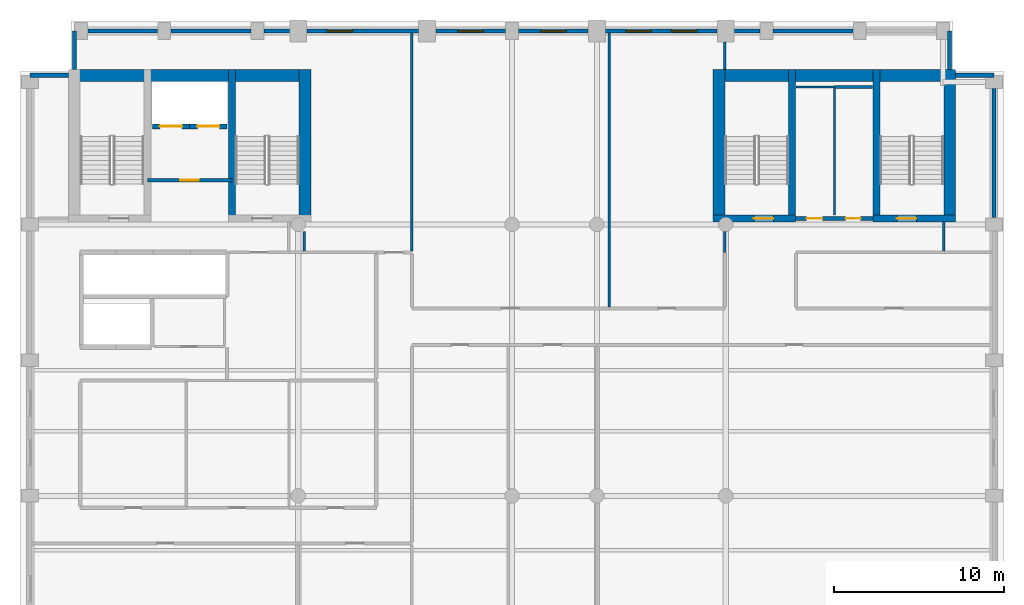
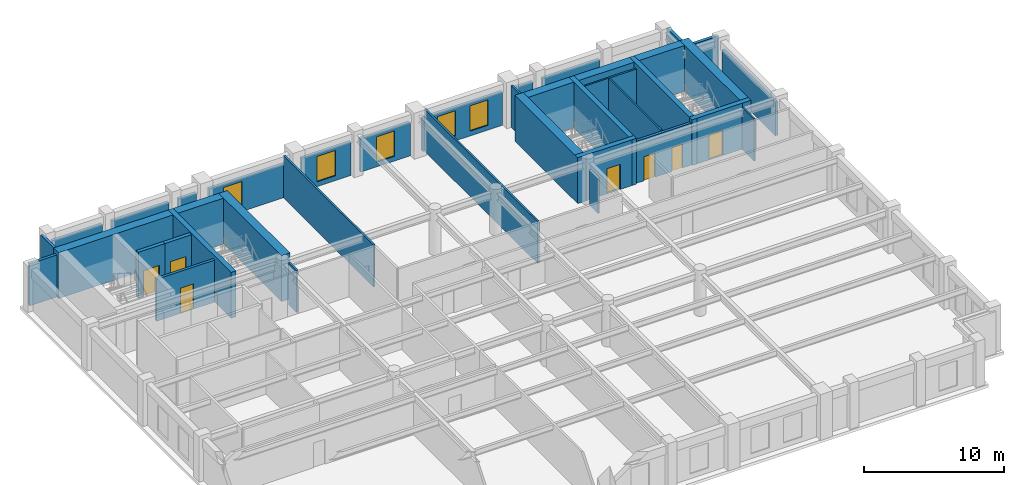
# One storey, part 5 of 8: 37 walls, 7 doors, 5 windows, 12 openings.
"""IFC4 building model written with IfcOpenShell, lengths in metres."""

from ifc_helpers import new_model, si_unit, direction, frame, frame_2d, origin, place, context, subcontext, project, spatial, rectangle, extrude, material, layer, layer_set, type_object, element, fill, save


model = new_model("IFC4")

# Units and contexts
model_context = context("Model", 3, precision=1e-05, world=origin(), true_north=direction((0.0, 1.0)))
body_context = subcontext(model_context, "Body", "Model", "MODEL_VIEW")
ifc_project = project(units=[si_unit("LENGTHUNIT", "METRE"), si_unit("AREAUNIT", "SQUARE_METRE"), si_unit("VOLUMEUNIT", "CUBIC_METRE"), si_unit("PLANEANGLEUNIT", "RADIAN"), si_unit("MASSUNIT", "GRAM", prefix="KILO")], contexts=[model_context])

# Site, building, storey
site_placement = place(None, origin())
site = spatial("IfcSite", under=ifc_project, at=site_placement, CompositionType="ELEMENT")
building_placement = place(site_placement, origin())
building = spatial("IfcBuilding", under=site, at=building_placement, Name="Sulina Concourse Tower", CompositionType="ELEMENT")
storey_placement = place(building_placement, frame((0.0, 0.0, 234.60009765625)))
storey = spatial("IfcBuildingStorey", under=building, at=storey_placement, Name="L57", CompositionType="ELEMENT", Elevation=234.60009765625)

# Wall, opening, door
ifc_material_1 = material(Name="Concrete C50/60", Category="concrete")
ifc_layer_1 = layer(ifc_material_1, 0.300048828125)
ifc_layer_set_1 = layer_set([ifc_layer_1], Name="Concrete C50/60")
wall_type_1 = type_object("IfcWallType", Name="Core Lift Hoistway Wall 300mm", PredefinedType="SOLIDWALL", material=ifc_layer_set_1)
wall_1_placement = place(storey_placement, frame((10.0, 39.780029296875, 0.0), z_axis=(0.0, 0.0, 1.0), x_axis=(-1.0, 0.0, 0.0)))
wall_1 = element("IfcWall", 1, at=wall_1_placement, inside=storey, type_object=wall_type_1, Name="L57 hoistway enclosure wall FFL-1", PredefinedType="SOLIDWALL", context=body_context, shape_type="SweptSolid", body=[
    extrude(rectangle(XDim=2.199951171875, YDim=0.300048828125, at=frame_2d((1.10009765625, 0.0))), origin(), (0.0, 0.0, 1.0), 4.0),
])
opening_1_placement = place(wall_1_placement, frame((0.449951171875, 0.0, 0.0)))
opening_1 = element("IfcOpeningElement", 2, at=opening_1_placement, cuts=wall_1, Name="Opening LD-02", PredefinedType="OPENING", context=body_context, shape_type="SweptSolid", body=[
    extrude(rectangle(XDim=1.300048828125, YDim=2.25, at=frame_2d((0.64990234375, 1.125))), frame((0.0, 0.159912109375, 0.0), z_axis=(0.0, -1.0, 0.0), x_axis=(1.0, 0.0, 0.0)), (0.0, 0.0, 1.0), 0.320068359375),
])
ifc_material_2 = material(Name="Stainless steel lift landing door", Category="steel")
ifc_layer_2 = layer(ifc_material_2, 0.050048828125)
ifc_layer_set_2 = layer_set([ifc_layer_2], Name="Stainless steel lift landing door")
door_type_1 = type_object("IfcDoorType", Name="Firefighting Lift Sliding Landing Door 1300x2250", OperationType="SLIDING_TO_RIGHT", PredefinedType="DOOR", material=ifc_layer_set_2)
door_1_placement = place(opening_1_placement, origin())
door_1 = element("IfcDoor", 3, at=door_1_placement, inside=storey, type_object=door_type_1, Name="L57 lift landing sliding door FFL-1", OperationType="SLIDING_TO_LEFT", OverallHeight=2.25, OverallWidth=1.300048828125, PredefinedType="DOOR", context=body_context, shape_type="SweptSolid", body=[
    extrude(rectangle(XDim=1.300048828125, YDim=2.25, at=frame_2d((0.64990234375, 1.125))), frame((0.0, 0.02490234375, 0.0), z_axis=(0.0, -1.0, 0.0), x_axis=(1.0, 0.0, 0.0)), (0.0, 0.0, 1.0), 0.050048828125),
])
fill(opening_1, door_1)

wall_2_placement = place(storey_placement, frame((12.199951171875, 39.780029296875, 0.0), z_axis=(0.0, 0.0, 1.0), x_axis=(-1.0, 0.0, 0.0)))
wall_2 = element("IfcWall", 4, at=wall_2_placement, inside=storey, type_object=wall_type_1, Name="L57 hoistway enclosure wall FFL-2", PredefinedType="SOLIDWALL", context=body_context, shape_type="SweptSolid", body=[
    extrude(rectangle(XDim=2.199951171875, YDim=0.300048828125, at=frame_2d((1.10009765625, 0.0))), origin(), (0.0, 0.0, 1.0), 4.0),
])
opening_2_placement = place(wall_2_placement, frame((0.449951171875, 0.0, 0.0)))
opening_2 = element("IfcOpeningElement", 5, at=opening_2_placement, cuts=wall_2, Name="Opening LD-02", PredefinedType="OPENING", context=body_context, shape_type="SweptSolid", body=[
    extrude(rectangle(XDim=1.300048828125, YDim=2.25, at=frame_2d((0.64990234375, 1.125))), frame((0.0, 0.159912109375, 0.0), z_axis=(0.0, -1.0, 0.0), x_axis=(1.0, 0.0, 0.0)), (0.0, 0.0, 1.0), 0.320068359375),
])
door_2_placement = place(opening_2_placement, origin())
door_2 = element("IfcDoor", 6, at=door_2_placement, inside=storey, type_object=door_type_1, Name="L57 lift landing sliding door FFL-2", OperationType="SLIDING_TO_RIGHT", OverallHeight=2.25, OverallWidth=1.300048828125, PredefinedType="DOOR", context=body_context, shape_type="SweptSolid", body=[
    extrude(rectangle(XDim=1.300048828125, YDim=2.25, at=frame_2d((0.64990234375, 1.125))), frame((0.0, 0.02490234375, 0.0), z_axis=(0.0, -1.0, 0.0), x_axis=(1.0, 0.0, 0.0)), (0.0, 0.0, 1.0), 0.050048828125),
])
fill(opening_2, door_2)

# Walls
ifc_material_3 = material(Name="Precast concrete C50/60", Category="concrete")
ifc_layer_3 = layer(ifc_material_3, 0.239990234375)
ifc_layer_set_3 = layer_set([ifc_layer_3], Name="Precast concrete C50/60")
wall_type_2 = type_object("IfcWallType", Name="Crown Precast Masonry-Frame Facade Wall 240mm", PredefinedType="SOLIDWALL", material=ifc_layer_set_3)
wall_3_placement = place(storey_placement, frame((3.9951171875, 45.39990234375, 0.0), z_axis=(0.0, 0.0, 1.0), x_axis=(1.0, 0.0, 0.0)))
element("IfcWall", 7, at=wall_3_placement, inside=storey, type_object=wall_type_2, Name="L57 exterior precast wall N1", PredefinedType="SOLIDWALL", context=body_context, shape_type="SweptSolid", body=[
    extrude(rectangle(XDim=4.10986328125, YDim=0.239990234375, at=frame_2d((2.054931640625, 0.0))), origin(), (0.0, 0.0, 1.0), 2.909912109375),
])
wall_4_placement = place(storey_placement, frame((8.89501953125, 45.39990234375, 0.0), z_axis=(0.0, 0.0, 1.0), x_axis=(1.0, 0.0, 0.0)))
element("IfcWall", 8, at=wall_4_placement, inside=storey, type_object=wall_type_2, Name="L57 exterior precast wall N2", PredefinedType="SOLIDWALL", context=body_context, shape_type="SweptSolid", body=[
    extrude(rectangle(XDim=4.7099609375, YDim=0.239990234375, at=frame_2d((2.35498046875, 0.0))), origin(), (0.0, 0.0, 1.0), 2.909912109375),
])
wall_5_placement = place(storey_placement, frame((14.39501953125, 45.39990234375, 0.0), z_axis=(0.0, 0.0, 1.0), x_axis=(1.0, 0.0, 0.0)))
element("IfcWall", 9, at=wall_5_placement, inside=storey, type_object=wall_type_2, Name="L57 exterior precast wall N3", PredefinedType="SOLIDWALL", context=body_context, shape_type="SweptSolid", body=[
    extrude(rectangle(XDim=1.48486328125, YDim=0.239990234375, at=frame_2d((0.742431640625, 0.0))), origin(), (0.0, 0.0, 1.0), 2.909912109375),
])

# Wall, opening, window
wall_6_placement = place(storey_placement, frame((16.919921875, 45.39990234375, 0.0), z_axis=(0.0, 0.0, 1.0), x_axis=(1.0, 0.0, 0.0)))
wall_6 = element("IfcWall", 10, at=wall_6_placement, inside=storey, type_object=wall_type_2, Name="L57 exterior precast wall N4", PredefinedType="SOLIDWALL", context=body_context, shape_type="SweptSolid", body=[
    extrude(rectangle(XDim=6.56005859375, YDim=0.239990234375, at=frame_2d((3.280029296875, 0.0))), origin(), (0.0, 0.0, 1.0), 2.909912109375),
])
opening_3_placement = place(wall_6_placement, frame((1.186767578125, 0.0, 0.419921875)))
opening_3 = element("IfcOpeningElement", 11, at=opening_3_placement, cuts=wall_6, Name="Opening WN-71", PredefinedType="OPENING", context=body_context, shape_type="SweptSolid", body=[
    extrude(rectangle(XDim=1.5, YDim=2.199951171875, at=frame_2d((0.75, 1.10009765625))), frame((0.0, 0.1298828125, 0.0), z_axis=(0.0, -1.0, 0.0), x_axis=(1.0, 0.0, 0.0)), (0.0, 0.0, 1.0), 0.260009765625),
])
ifc_material_4 = material(Name="Low-E solar double glazing in bronze aluminium", Category="aluminium")
window_type = type_object("IfcWindowType", Name="Punched Masonry-Frame Window 1500x2200", PartitioningType="SINGLE_PANEL", PredefinedType="WINDOW", material=ifc_material_4)
window_1_placement = place(opening_3_placement, origin())
window_1 = element("IfcWindow", 12, at=window_1_placement, inside=storey, type_object=window_type, Name="L57 punched window N4-1", OverallHeight=2.199951171875, OverallWidth=1.5, PartitioningType="SINGLE_PANEL", PredefinedType="WINDOW", context=body_context, shape_type="SweptSolid", body=[
    extrude(rectangle(XDim=1.5, YDim=2.199951171875, at=frame_2d((0.75, 1.10009765625))), frame((0.0, 0.030029296875, 0.0), z_axis=(0.0, -1.0, 0.0), x_axis=(1.0, 0.0, 0.0)), (0.0, 0.0, 1.0), 0.06005859375),
])
fill(opening_3, window_1)

wall_7_placement = place(storey_placement, frame((24.52001953125, 45.39990234375, 0.0), z_axis=(0.0, 0.0, 1.0), x_axis=(1.0, 0.0, 0.0)))
wall_7 = element("IfcWall", 13, at=wall_7_placement, inside=storey, type_object=wall_type_2, Name="L57 exterior precast wall N5", PredefinedType="SOLIDWALL", context=body_context, shape_type="SweptSolid", body=[
    extrude(rectangle(XDim=4.0849609375, YDim=0.239990234375, at=frame_2d((2.04248046875, 0.0))), origin(), (0.0, 0.0, 1.0), 2.909912109375),
])
opening_4_placement = place(wall_7_placement, frame((1.29248046875, 0.0, 0.419921875)))
opening_4 = element("IfcOpeningElement", 14, at=opening_4_placement, cuts=wall_7, Name="Opening WN-71", PredefinedType="OPENING", context=body_context, shape_type="SweptSolid", body=[
    extrude(rectangle(XDim=1.5, YDim=2.199951171875, at=frame_2d((0.75, 1.10009765625))), frame((0.0, 0.1298828125, 0.0), z_axis=(0.0, -1.0, 0.0), x_axis=(1.0, 0.0, 0.0)), (0.0, 0.0, 1.0), 0.260009765625),
])
window_2_placement = place(opening_4_placement, origin())
window_2 = element("IfcWindow", 15, at=window_2_placement, inside=storey, type_object=window_type, Name="L57 punched window N5-1", OverallHeight=2.199951171875, OverallWidth=1.5, PartitioningType="SINGLE_PANEL", PredefinedType="WINDOW", context=body_context, shape_type="SweptSolid", body=[
    extrude(rectangle(XDim=1.5, YDim=2.199951171875, at=frame_2d((0.75, 1.10009765625))), frame((0.0, 0.030029296875, 0.0), z_axis=(0.0, -1.0, 0.0), x_axis=(1.0, 0.0, 0.0)), (0.0, 0.0, 1.0), 0.06005859375),
])
fill(opening_4, window_2)

wall_8_placement = place(storey_placement, frame((29.39501953125, 45.39990234375, 0.0), z_axis=(0.0, 0.0, 1.0), x_axis=(1.0, 0.0, 0.0)))
wall_8 = element("IfcWall", 16, at=wall_8_placement, inside=storey, type_object=wall_type_2, Name="L57 exterior precast wall N6", PredefinedType="SOLIDWALL", context=body_context, shape_type="SweptSolid", body=[
    extrude(rectangle(XDim=4.0849609375, YDim=0.239990234375, at=frame_2d((2.04248046875, 0.0))), origin(), (0.0, 0.0, 1.0), 2.909912109375),
])
opening_5_placement = place(wall_8_placement, frame((1.29248046875, 0.0, 0.419921875)))
opening_5 = element("IfcOpeningElement", 17, at=opening_5_placement, cuts=wall_8, Name="Opening WN-71", PredefinedType="OPENING", context=body_context, shape_type="SweptSolid", body=[
    extrude(rectangle(XDim=1.5, YDim=2.199951171875, at=frame_2d((0.75, 1.10009765625))), frame((0.0, 0.1298828125, 0.0), z_axis=(0.0, -1.0, 0.0), x_axis=(1.0, 0.0, 0.0)), (0.0, 0.0, 1.0), 0.260009765625),
])
window_3_placement = place(opening_5_placement, origin())
window_3 = element("IfcWindow", 18, at=window_3_placement, inside=storey, type_object=window_type, Name="L57 punched window N6-1", OverallHeight=2.199951171875, OverallWidth=1.5, PartitioningType="SINGLE_PANEL", PredefinedType="WINDOW", context=body_context, shape_type="SweptSolid", body=[
    extrude(rectangle(XDim=1.5, YDim=2.199951171875, at=frame_2d((0.75, 1.10009765625))), frame((0.0, 0.030029296875, 0.0), z_axis=(0.0, -1.0, 0.0), x_axis=(1.0, 0.0, 0.0)), (0.0, 0.0, 1.0), 0.06005859375),
])
fill(opening_5, window_3)

# Wall, openings, windows
wall_9_placement = place(storey_placement, frame((34.52001953125, 45.39990234375, 0.0), z_axis=(0.0, 0.0, 1.0), x_axis=(1.0, 0.0, 0.0)))
wall_9 = element("IfcWall", 19, at=wall_9_placement, inside=storey, type_object=wall_type_2, Name="L57 exterior precast wall N7", PredefinedType="SOLIDWALL", context=body_context, shape_type="SweptSolid", body=[
    extrude(rectangle(XDim=6.56005859375, YDim=0.239990234375, at=frame_2d((3.280029296875, 0.0))), origin(), (0.0, 0.0, 1.0), 2.909912109375),
])
opening_6_placement = place(wall_9_placement, frame((1.186767578125, 0.0, 0.419921875)))
opening_6 = element("IfcOpeningElement", 20, at=opening_6_placement, cuts=wall_9, Name="Opening WN-71", PredefinedType="OPENING", context=body_context, shape_type="SweptSolid", body=[
    extrude(rectangle(XDim=1.5, YDim=2.199951171875, at=frame_2d((0.75, 1.10009765625))), frame((0.0, 0.1298828125, 0.0), z_axis=(0.0, -1.0, 0.0), x_axis=(1.0, 0.0, 0.0)), (0.0, 0.0, 1.0), 0.260009765625),
])
opening_7_placement = place(wall_9_placement, frame((3.873291015625, 0.0, 0.419921875)))
opening_7 = element("IfcOpeningElement", 21, at=opening_7_placement, cuts=wall_9, Name="Opening WN-71", PredefinedType="OPENING", context=body_context, shape_type="SweptSolid", body=[
    extrude(rectangle(XDim=1.5, YDim=2.199951171875, at=frame_2d((0.75, 1.10009765625))), frame((0.0, 0.1298828125, 0.0), z_axis=(0.0, -1.0, 0.0), x_axis=(1.0, 0.0, 0.0)), (0.0, 0.0, 1.0), 0.260009765625),
])
window_4_placement = place(opening_6_placement, origin())
window_4 = element("IfcWindow", 22, at=window_4_placement, inside=storey, type_object=window_type, Name="L57 punched window N7-1", OverallHeight=2.199951171875, OverallWidth=1.5, PartitioningType="SINGLE_PANEL", PredefinedType="WINDOW", context=body_context, shape_type="SweptSolid", body=[
    extrude(rectangle(XDim=1.5, YDim=2.199951171875, at=frame_2d((0.75, 1.10009765625))), frame((0.0, 0.030029296875, 0.0), z_axis=(0.0, -1.0, 0.0), x_axis=(1.0, 0.0, 0.0)), (0.0, 0.0, 1.0), 0.06005859375),
])
fill(opening_6, window_4)
window_5_placement = place(opening_7_placement, origin())
window_5 = element("IfcWindow", 23, at=window_5_placement, inside=storey, type_object=window_type, Name="L57 punched window N7-2", OverallHeight=2.199951171875, OverallWidth=1.5, PartitioningType="SINGLE_PANEL", PredefinedType="WINDOW", context=body_context, shape_type="SweptSolid", body=[
    extrude(rectangle(XDim=1.5, YDim=2.199951171875, at=frame_2d((0.75, 1.10009765625))), frame((0.0, 0.030029296875, 0.0), z_axis=(0.0, -1.0, 0.0), x_axis=(1.0, 0.0, 0.0)), (0.0, 0.0, 1.0), 0.06005859375),
])
fill(opening_7, window_5)

# Walls
wall_10_placement = place(storey_placement, frame((42.1201171875, 45.39990234375, 0.0), z_axis=(0.0, 0.0, 1.0), x_axis=(1.0, 0.0, 0.0)))
element("IfcWall", 24, at=wall_10_placement, inside=storey, type_object=wall_type_2, Name="L57 exterior precast wall N8", PredefinedType="SOLIDWALL", context=body_context, shape_type="SweptSolid", body=[
    extrude(rectangle(XDim=1.48486328125, YDim=0.239990234375, at=frame_2d((0.742431640625, 0.0))), origin(), (0.0, 0.0, 1.0), 2.909912109375),
])
wall_11_placement = place(storey_placement, frame((44.39501953125, 45.39990234375, 0.0), z_axis=(0.0, 0.0, 1.0), x_axis=(1.0, 0.0, 0.0)))
element("IfcWall", 25, at=wall_11_placement, inside=storey, type_object=wall_type_2, Name="L57 exterior precast wall N9", PredefinedType="SOLIDWALL", context=body_context, shape_type="SweptSolid", body=[
    extrude(rectangle(XDim=4.7099609375, YDim=0.239990234375, at=frame_2d((2.35498046875, 0.0))), origin(), (0.0, 0.0, 1.0), 2.909912109375),
])
wall_12_placement = place(storey_placement, frame((57.39990234375, 42.0048828125, 0.0), z_axis=(0.0, 0.0, 1.0), x_axis=(0.0, -1.0, 0.0)))
element("IfcWall", 26, at=wall_12_placement, inside=storey, type_object=wall_type_2, Name="L57 exterior precast wall E5", PredefinedType="SOLIDWALL", context=body_context, shape_type="SweptSolid", body=[
    extrude(rectangle(XDim=7.60986328125, YDim=0.239990234375, at=frame_2d((3.804931640625, 0.0))), origin(), (0.0, 0.0, 1.0), 2.909912109375),
])
wall_13_placement = place(storey_placement, frame((0.60009765625, 42.794921875, 0.0), z_axis=(0.0, 0.0, 1.0), x_axis=(1.0, 0.0, 0.0)))
element("IfcWall", 27, at=wall_13_placement, inside=storey, type_object=wall_type_2, Name="L57 exterior precast wall CNW1", PredefinedType="SOLIDWALL", context=body_context, shape_type="SweptSolid", body=[
    extrude(rectangle(XDim=2.244873046875, YDim=0.239990234375, at=frame_2d((1.12255859375, 0.0))), origin(), (0.0, 0.0, 1.0), 3.659912109375),
])
for number, where, z_axis, x_axis, name in (
    (28, (3.205078125, 43.135009765625, 0.0), (0.0, 0.0, 1.0), (0.0, 1.0, 0.0), "L57 exterior precast wall CNW2"),
    (29, (54.794921875, 45.39990234375, 0.0), (0.0, 0.0, 1.0), (0.0, -1.0, 0.0), "L57 exterior precast wall CNE1"),
):
    element("IfcWall", number, at=place(storey_placement, frame(where, z_axis=z_axis, x_axis=x_axis)), inside=storey, type_object=wall_type_2, Name=name, PredefinedType="SOLIDWALL", context=body_context, shape_type="SweptSolid", body=[
        extrude(rectangle(XDim=2.264892578125, YDim=0.239990234375, at=frame_2d((1.13232421875, 0.0))), origin(), (0.0, 0.0, 1.0), 3.659912109375),
    ])
wall_14_placement = place(storey_placement, frame((55.155029296875, 42.794921875, 0.0), z_axis=(0.0, 0.0, 1.0), x_axis=(1.0, 0.0, 0.0)))
element("IfcWall", 30, at=wall_14_placement, inside=storey, type_object=wall_type_2, Name="L57 exterior precast wall CNE2", PredefinedType="SOLIDWALL", context=body_context, shape_type="SweptSolid", body=[
    extrude(rectangle(XDim=2.244873046875, YDim=0.239990234375, at=frame_2d((1.12255859375, 0.0))), origin(), (0.0, 0.0, 1.0), 3.659912109375),
])

# Wall, opening, door
ifc_material_5 = material(Name="Gypsum board on steel stud", Category="steel")
ifc_layer_4 = layer(ifc_material_5, 0.219970703125)
ifc_layer_set_4 = layer_set([ifc_layer_4], Name="Gypsum board on steel stud")
wall_type_3 = type_object("IfcWallType", Name="Fire-Rated Lobby & Compartment Wall 220mm", PredefinedType="PARTITIONING", material=ifc_layer_set_4)
wall_15_placement = place(storey_placement, frame((7.510009765625, 36.60009765625, 0.0), z_axis=(0.0, 0.0, 1.0), x_axis=(1.0, 0.0, 0.0)))
wall_15 = element("IfcWall", 31, at=wall_15_placement, inside=storey, type_object=wall_type_3, Name="L57 firefighting lobby south fire wall", PredefinedType="PARTITIONING", context=body_context, shape_type="SweptSolid", body=[
    extrude(rectangle(XDim=4.97998046875, YDim=0.219970703125, at=frame_2d((2.489990234375, 0.0))), origin(), (0.0, 0.0, 1.0), 3.659912109375),
])
opening_8_placement = place(wall_15_placement, frame((1.93994140625, 0.0, 0.0)))
opening_8 = element("IfcOpeningElement", 32, at=opening_8_placement, cuts=wall_15, Name="Opening DR-47", PredefinedType="OPENING", context=body_context, shape_type="SweptSolid", body=[
    extrude(rectangle(XDim=1.10009765625, YDim=2.199951171875, at=frame_2d((0.550048828125, 1.10009765625))), frame((0.0, 0.119873046875, 0.0), z_axis=(0.0, -1.0, 0.0), x_axis=(1.0, 0.0, 0.0)), (0.0, 0.0, 1.0), 0.239990234375),
])
ifc_material_6 = material(Name="Galvanised steel acoustic fire leaf", Category="steel")
ifc_layer_5 = layer(ifc_material_6, 0.054931640625)
ifc_layer_set_5 = layer_set([ifc_layer_5], Name="Galvanised steel acoustic fire leaf")
door_type_2 = type_object("IfcDoorType", Name="Firefighting Lobby Fire Door 1100x2200", OperationType="NOTDEFINED", PredefinedType="DOOR", material=ifc_layer_set_5)
door_3_placement = place(opening_8_placement, origin())
door_3 = element("IfcDoor", 33, at=door_3_placement, inside=storey, type_object=door_type_2, Name="L57 firefighting lobby fire door", OperationType="SINGLE_SWING_RIGHT", OverallHeight=2.199951171875, OverallWidth=1.10009765625, PredefinedType="DOOR", context=body_context, shape_type="SweptSolid", body=[
    extrude(rectangle(XDim=1.10009765625, YDim=2.199951171875, at=frame_2d((0.550048828125, 1.10009765625))), frame((0.0, 0.02490234375, 0.0), z_axis=(0.0, -1.0, 0.0), x_axis=(1.0, 0.0, 0.0)), (0.0, 0.0, 1.0), 0.050048828125),
])
fill(opening_8, door_3)

# Wall, openings, doors
wall_16_placement = place(storey_placement, frame((45.719970703125, 34.35009765625, 0.0), z_axis=(0.0, 0.0, 1.0), x_axis=(1.0, 0.0, 0.0)))
wall_16 = element("IfcWall", 34, at=wall_16_placement, inside=storey, type_object=wall_type_3, Name="L57 east core south lobby wall", PredefinedType="PARTITIONING", context=body_context, shape_type="SweptSolid", body=[
    extrude(rectangle(XDim=4.56005859375, YDim=0.219970703125, at=frame_2d((2.280029296875, 0.0))), origin(), (0.0, 0.0, 1.0), 3.659912109375),
])
opening_9_placement = place(wall_16_placement, frame((0.64990234375, 0.0, 0.0)))
opening_9 = element("IfcOpeningElement", 35, at=opening_9_placement, cuts=wall_16, Name="Opening DR-61", PredefinedType="OPENING", context=body_context, shape_type="SweptSolid", body=[
    extrude(rectangle(XDim=0.919921875, YDim=2.10009765625, at=frame_2d((0.4599609375, 1.050048828125))), frame((0.0, 0.119873046875, 0.0), z_axis=(0.0, -1.0, 0.0), x_axis=(1.0, 0.0, 0.0)), (0.0, 0.0, 1.0), 0.239990234375),
])
opening_10_placement = place(wall_16_placement, frame((2.949951171875, 0.0, 0.0)))
opening_10 = element("IfcOpeningElement", 36, at=opening_10_placement, cuts=wall_16, Name="Opening DR-38", PredefinedType="OPENING", context=body_context, shape_type="SweptSolid", body=[
    extrude(rectangle(XDim=0.8798828125, YDim=2.10009765625, at=frame_2d((0.43994140625, 1.050048828125))), frame((0.0, 0.119873046875, 0.0), z_axis=(0.0, -1.0, 0.0), x_axis=(1.0, 0.0, 0.0)), (0.0, 0.0, 1.0), 0.239990234375),
])
ifc_material_7 = material(Name="Oak-veneered fire door leaf")
ifc_layer_6 = layer(ifc_material_7, 0.050048828125)
ifc_layer_set_6 = layer_set([ifc_layer_6], Name="Oak-veneered fire door leaf")
door_type_3 = type_object("IfcDoorType", Name="Accessible WC Door 920x2100", OperationType="NOTDEFINED", PredefinedType="DOOR", material=ifc_layer_set_6)
door_4_placement = place(opening_9_placement, origin())
door_4 = element("IfcDoor", 37, at=door_4_placement, inside=storey, type_object=door_type_3, Name="L57 east core accessible wc door", OperationType="SINGLE_SWING_RIGHT", OverallHeight=2.10009765625, OverallWidth=0.919921875, PredefinedType="DOOR", context=body_context, shape_type="SweptSolid", body=[
    extrude(rectangle(XDim=0.919921875, YDim=2.10009765625, at=frame_2d((0.4599609375, 1.050048828125))), frame((0.0, 0.02490234375, 0.0), z_axis=(0.0, -1.0, 0.0), x_axis=(1.0, 0.0, 0.0)), (0.0, 0.0, 1.0), 0.050048828125),
])
fill(opening_9, door_4)
ifc_material_8 = material(Name="Galvanised steel acoustic fire leaf", Category="steel")
ifc_layer_7 = layer(ifc_material_8, 0.050048828125)
ifc_layer_set_7 = layer_set([ifc_layer_7], Name="Galvanised steel acoustic fire leaf")
door_type_4 = type_object("IfcDoorType", Name="Service Riser Fire Door 880x2100", OperationType="NOTDEFINED", PredefinedType="DOOR", material=ifc_layer_set_7)
door_5_placement = place(opening_10_placement, origin())
door_5 = element("IfcDoor", 38, at=door_5_placement, inside=storey, type_object=door_type_4, Name="L57 east core store door", OperationType="SINGLE_SWING_LEFT", OverallHeight=2.10009765625, OverallWidth=0.8798828125, PredefinedType="DOOR", context=body_context, shape_type="SweptSolid", body=[
    extrude(rectangle(XDim=0.8798828125, YDim=2.10009765625, at=frame_2d((0.43994140625, 1.050048828125))), frame((0.0, 0.02490234375, 0.0), z_axis=(0.0, -1.0, 0.0), x_axis=(1.0, 0.0, 0.0)), (0.0, 0.0, 1.0), 0.050048828125),
])
fill(opening_10, door_5)

# Walls
ifc_material_9 = material(Name="Gypsum board on steel stud", Category="steel")
ifc_layer_8 = layer(ifc_material_9, 0.14990234375)
ifc_layer_set_8 = layer_set([ifc_layer_8], Name="Gypsum board on steel stud")
wall_type_4 = type_object("IfcWallType", Name="Inter-Tenancy Acoustic Partition 150mm", PredefinedType="PARTITIONING", material=ifc_layer_set_8)
wall_17_placement = place(storey_placement, frame((48.0, 42.10009765625, 0.0), z_axis=(0.0, 0.0, 1.0), x_axis=(1.0, 0.0, 0.0)))
element("IfcWall", 39, at=wall_17_placement, inside=storey, type_object=wall_type_4, Name="L57 interior partition 025", PredefinedType="PARTITIONING", context=body_context, shape_type="SweptSolid", body=[
    extrude(rectangle(XDim=2.25, YDim=0.14990234375, at=frame_2d((1.125, 0.0))), origin(), (0.0, 0.0, 1.0), 3.659912109375),
])
wall_18_placement = place(storey_placement, frame((16.75, 32.425048828125, 0.0), z_axis=(0.0, 0.0, 1.0), x_axis=(0.0, 1.0, 0.0)))
element("IfcWall", 40, at=wall_18_placement, inside=storey, type_object=wall_type_4, Name="L57 interior partition 033", PredefinedType="PARTITIONING", context=body_context, shape_type="SweptSolid", body=[
    extrude(rectangle(XDim=1.14990234375, YDim=0.14990234375, at=frame_2d((0.574951171875, 0.0))), origin(), (0.0, 0.0, 1.0), 3.659912109375),
])
wall_19_placement = place(storey_placement, frame((23.10009765625, 32.43994140625, 0.0), z_axis=(0.0, 0.0, 1.0), x_axis=(0.0, 1.0, 0.0)))
element("IfcWall", 41, at=wall_19_placement, inside=storey, type_object=wall_type_4, Name="L57 interior partition 040", PredefinedType="PARTITIONING", context=body_context, shape_type="SweptSolid", body=[
    extrude(rectangle(XDim=12.840087890625, YDim=0.14990234375, at=frame_2d((6.419921875, 0.0))), origin(), (0.0, 0.0, 1.0), 3.659912109375),
])
wall_20_placement = place(storey_placement, frame((34.719970703125, 29.139892578125, 0.0), z_axis=(0.0, 0.0, 1.0), x_axis=(0.0, 1.0, 0.0)))
element("IfcWall", 42, at=wall_20_placement, inside=storey, type_object=wall_type_4, Name="L57 interior partition 045", PredefinedType="PARTITIONING", context=body_context, shape_type="SweptSolid", body=[
    extrude(rectangle(XDim=16.14013671875, YDim=0.14990234375, at=frame_2d((8.070068359375, 0.0))), origin(), (0.0, 0.0, 1.0), 3.659912109375),
])
wall_21_placement = place(storey_placement, frame((41.550048828125, 32.35009765625, 0.0), z_axis=(0.0, 0.0, 1.0), x_axis=(0.0, 1.0, 0.0)))
element("IfcWall", 43, at=wall_21_placement, inside=storey, type_object=wall_type_4, Name="L57 interior partition 047", PredefinedType="PARTITIONING", context=body_context, shape_type="SweptSolid", body=[
    extrude(rectangle(XDim=1.224853515625, YDim=0.14990234375, at=frame_2d((0.6123046875, 0.0))), origin(), (0.0, 0.0, 1.0), 3.054931640625),
])
wall_22_placement = place(storey_placement, frame((41.550048828125, 43.1298828125, 0.0), z_axis=(0.0, 0.0, 1.0), x_axis=(0.0, 1.0, 0.0)))
element("IfcWall", 44, at=wall_22_placement, inside=storey, type_object=wall_type_4, Name="L57 interior partition 048", PredefinedType="PARTITIONING", context=body_context, shape_type="SweptSolid", body=[
    extrude(rectangle(XDim=1.6201171875, YDim=0.14990234375, at=frame_2d((0.81005859375, 0.0))), origin(), (0.0, 0.0, 1.0), 3.659912109375),
])
wall_23_placement = place(storey_placement, frame((54.449951171875, 32.425048828125, 0.0), z_axis=(0.0, 0.0, 1.0), x_axis=(0.0, 1.0, 0.0)))
element("IfcWall", 45, at=wall_23_placement, inside=storey, type_object=wall_type_4, Name="L57 interior partition 051", PredefinedType="PARTITIONING", context=body_context, shape_type="SweptSolid", body=[
    extrude(rectangle(XDim=1.724853515625, YDim=0.14990234375, at=frame_2d((0.8623046875, 0.0))), origin(), (0.0, 0.0, 1.0), 3.659912109375),
])
ifc_material_10 = material(Name="Concrete C60/75", Category="concrete")
ifc_layer_9 = layer(ifc_material_10, 0.39990234375)
ifc_layer_set_9 = layer_set([ifc_layer_9], Name="Concrete C60/75")
wall_type_5 = type_object("IfcWallType", Name="Protected Stair Core Shear Wall 400mm", PredefinedType="SHEAR", material=ifc_layer_set_9)
wall_24_placement = place(storey_placement, frame((12.489990234375, 34.14990234375, 0.0), z_axis=(0.0, 0.0, 1.0), x_axis=(0.0, 1.0, 0.0)))
element("IfcWall", 46, at=wall_24_placement, inside=storey, type_object=wall_type_5, Name="L57 west core shear wall SW-ST2", PredefinedType="SHEAR", context=body_context, shape_type="SweptSolid", body=[
    extrude(rectangle(XDim=8.97998046875, YDim=0.39990234375, at=frame_2d((4.489990234375, 0.0))), origin(), (0.0, 0.0, 1.0), 4.0),
])

# Wall, opening, door
wall_25_placement = place(storey_placement, frame((40.85009765625, 34.35009765625, 0.0), z_axis=(0.0, 0.0, 1.0), x_axis=(1.0, 0.0, 0.0)))
wall_25 = element("IfcWall", 47, at=wall_25_placement, inside=storey, type_object=wall_type_5, Name="L57 east core shear wall CW-ES1", PredefinedType="SHEAR", context=body_context, shape_type="SweptSolid", body=[
    extrude(rectangle(XDim=4.85986328125, YDim=0.39990234375, at=frame_2d((2.429931640625, 0.0))), origin(), (0.0, 0.0, 1.0), 4.0),
])
opening_11_placement = place(wall_25_placement, frame((2.39990234375, 0.0, 0.0)))
opening_11 = element("IfcOpeningElement", 48, at=opening_11_placement, cuts=wall_25, Name="Opening DR-60", PredefinedType="OPENING", context=body_context, shape_type="SweptSolid", body=[
    extrude(rectangle(XDim=1.14990234375, YDim=2.199951171875, at=frame_2d((0.574951171875, 1.10009765625))), frame((0.0, 0.2099609375, 0.0), z_axis=(0.0, -1.0, 0.0), x_axis=(1.0, 0.0, 0.0)), (0.0, 0.0, 1.0), 0.419921875),
])
ifc_material_11 = material(Name="Galvanised steel acoustic fire leaf", Category="steel")
ifc_layer_10 = layer(ifc_material_11, 0.054931640625)
ifc_layer_set_10 = layer_set([ifc_layer_10], Name="Galvanised steel acoustic fire leaf")
door_type_5 = type_object("IfcDoorType", Name="Protected Exit Stair Fire Door 1150x2200", OperationType="NOTDEFINED", PredefinedType="DOOR", material=ifc_layer_set_10)
door_6_placement = place(opening_11_placement, origin())
door_6 = element("IfcDoor", 49, at=door_6_placement, inside=storey, type_object=door_type_5, Name="L57 stair ST-3 south lobby fire door", OperationType="SINGLE_SWING_LEFT", OverallHeight=2.199951171875, OverallWidth=1.14990234375, PredefinedType="DOOR", context=body_context, shape_type="SweptSolid", body=[
    extrude(rectangle(XDim=1.14990234375, YDim=2.199951171875, at=frame_2d((0.574951171875, 1.10009765625))), frame((0.0, 0.02490234375, 0.0), z_axis=(0.0, -1.0, 0.0), x_axis=(1.0, 0.0, 0.0)), (0.0, 0.0, 1.0), 0.050048828125),
])
fill(opening_11, door_6)

# Wall
wall_26_placement = place(storey_placement, frame((45.510009765625, 34.14990234375, 0.0), z_axis=(0.0, 0.0, 1.0), x_axis=(0.0, 1.0, 0.0)))
element("IfcWall", 50, at=wall_26_placement, inside=storey, type_object=wall_type_5, Name="L57 east core shear wall SW-ST3", PredefinedType="SHEAR", context=body_context, shape_type="SweptSolid", body=[
    extrude(rectangle(XDim=8.97998046875, YDim=0.39990234375, at=frame_2d((4.489990234375, 0.0))), origin(), (0.0, 0.0, 1.0), 4.0),
])

# Wall, opening, door
wall_27_placement = place(storey_placement, frame((50.2900390625, 34.35009765625, 0.0), z_axis=(0.0, 0.0, 1.0), x_axis=(1.0, 0.0, 0.0)))
wall_27 = element("IfcWall", 51, at=wall_27_placement, inside=storey, type_object=wall_type_5, Name="L57 east core shear wall CW-ES2", PredefinedType="SHEAR", context=body_context, shape_type="SweptSolid", body=[
    extrude(rectangle(XDim=4.85986328125, YDim=0.39990234375, at=frame_2d((2.429931640625, 0.0))), origin(), (0.0, 0.0, 1.0), 4.0),
])
opening_12_placement = place(wall_27_placement, frame((1.39990234375, 0.0, 0.0)))
opening_12 = element("IfcOpeningElement", 52, at=opening_12_placement, cuts=wall_27, Name="Opening DR-60", PredefinedType="OPENING", context=body_context, shape_type="SweptSolid", body=[
    extrude(rectangle(XDim=1.14990234375, YDim=2.199951171875, at=frame_2d((0.574951171875, 1.10009765625))), frame((0.0, 0.2099609375, 0.0), z_axis=(0.0, -1.0, 0.0), x_axis=(1.0, 0.0, 0.0)), (0.0, 0.0, 1.0), 0.419921875),
])
door_7_placement = place(opening_12_placement, origin())
door_7 = element("IfcDoor", 53, at=door_7_placement, inside=storey, type_object=door_type_5, Name="L57 stair ST-4 south lobby fire door", OperationType="SINGLE_SWING_RIGHT", OverallHeight=2.199951171875, OverallWidth=1.14990234375, PredefinedType="DOOR", context=body_context, shape_type="SweptSolid", body=[
    extrude(rectangle(XDim=1.14990234375, YDim=2.199951171875, at=frame_2d((0.574951171875, 1.10009765625))), frame((0.0, 0.02490234375, 0.0), z_axis=(0.0, -1.0, 0.0), x_axis=(1.0, 0.0, 0.0)), (0.0, 0.0, 1.0), 0.050048828125),
])
fill(opening_12, door_7)

# Walls
wall_28_placement = place(storey_placement, frame((50.489990234375, 34.14990234375, 0.0), z_axis=(0.0, 0.0, 1.0), x_axis=(0.0, 1.0, 0.0)))
element("IfcWall", 54, at=wall_28_placement, inside=storey, type_object=wall_type_5, Name="L57 east core shear wall SW-ST4", PredefinedType="SHEAR", context=body_context, shape_type="SweptSolid", body=[
    extrude(rectangle(XDim=8.97998046875, YDim=0.39990234375, at=frame_2d((4.489990234375, 0.0))), origin(), (0.0, 0.0, 1.0), 4.0),
])
ifc_material_12 = material(Name="Concrete C60/75", Category="concrete")
ifc_layer_11 = layer(ifc_material_12, 0.699951171875)
ifc_layer_set_11 = layer_set([ifc_layer_11], Name="Concrete C60/75")
wall_type_6 = type_object("IfcWallType", Name="Rear Core Shear Wall 700mm", PredefinedType="SHEAR", material=ifc_layer_set_11)
wall_29_placement = place(storey_placement, frame((2.85009765625, 42.780029296875, 0.0), z_axis=(0.0, 0.0, 1.0), x_axis=(1.0, 0.0, 0.0)))
element("IfcWall", 55, at=wall_29_placement, inside=storey, type_object=wall_type_6, Name="L57 west core shear wall CW-WN", PredefinedType="SHEAR", context=body_context, shape_type="SweptSolid", body=[
    extrude(rectangle(XDim=14.2998046875, YDim=0.699951171875, at=frame_2d((7.14990234375, 0.0))), origin(), (0.0, 0.0, 1.0), 4.0),
])
wall_30_placement = place(storey_placement, frame((16.800048828125, 34.14990234375, 0.0), z_axis=(0.0, 0.0, 1.0), x_axis=(0.0, 1.0, 0.0)))
element("IfcWall", 56, at=wall_30_placement, inside=storey, type_object=wall_type_6, Name="L57 west core shear wall CW-WE", PredefinedType="SHEAR", context=body_context, shape_type="SweptSolid", body=[
    extrude(rectangle(XDim=8.97998046875, YDim=0.699951171875, at=frame_2d((4.489990234375, 0.0))), origin(), (0.0, 0.0, 1.0), 4.0),
])
wall_31_placement = place(storey_placement, frame((40.85009765625, 42.780029296875, 0.0), z_axis=(0.0, 0.0, 1.0), x_axis=(1.0, 0.0, 0.0)))
element("IfcWall", 57, at=wall_31_placement, inside=storey, type_object=wall_type_6, Name="L57 east core shear wall CW-EN", PredefinedType="SHEAR", context=body_context, shape_type="SweptSolid", body=[
    extrude(rectangle(XDim=14.2998046875, YDim=0.699951171875, at=frame_2d((7.14990234375, 0.0))), origin(), (0.0, 0.0, 1.0), 4.0),
])
for number, where, z_axis, x_axis, name in (
    (58, (41.199951171875, 34.14990234375, 0.0), (0.0, 0.0, 1.0), (0.0, 1.0, 0.0), "L57 east core shear wall CW-EW"),
    (59, (54.800048828125, 34.14990234375, 0.0), (0.0, 0.0, 1.0), (0.0, 1.0, 0.0), "L57 east core shear wall CW-EE"),
):
    element("IfcWall", number, at=place(storey_placement, frame(where, z_axis=z_axis, x_axis=x_axis)), inside=storey, type_object=wall_type_6, Name=name, PredefinedType="SHEAR", context=body_context, shape_type="SweptSolid", body=[
        extrude(rectangle(XDim=8.97998046875, YDim=0.699951171875, at=frame_2d((4.489990234375, 0.0))), origin(), (0.0, 0.0, 1.0), 4.0),
    ])
ifc_material_13 = material(Name="Gypsum board on steel stud", Category="steel")
ifc_layer_12 = layer(ifc_material_13, 0.125)
ifc_layer_set_12 = layer_set([ifc_layer_12], Name="Gypsum board on steel stud")
wall_type_7 = type_object("IfcWallType", Name="Wet-Area Moisture-Resistant Partition 125mm", PredefinedType="PARTITIONING", material=ifc_layer_set_12)
wall_32_placement = place(storey_placement, frame((45.75, 42.10009765625, 0.0), z_axis=(0.0, 0.0, 1.0), x_axis=(1.0, 0.0, 0.0)))
element("IfcWall", 60, at=wall_32_placement, inside=storey, type_object=wall_type_7, Name="L57 interior partition 024", PredefinedType="PARTITIONING", context=body_context, shape_type="SweptSolid", body=[
    extrude(rectangle(XDim=2.25, YDim=0.125, at=frame_2d((1.125, 0.0))), origin(), (0.0, 0.0, 1.0), 3.659912109375),
])
wall_33_placement = place(storey_placement, frame((48.0, 34.550048828125, 0.0), z_axis=(0.0, 0.0, 1.0), x_axis=(0.0, 1.0, 0.0)))
element("IfcWall", 61, at=wall_33_placement, inside=storey, type_object=wall_type_7, Name="L57 interior partition 050", PredefinedType="PARTITIONING", context=body_context, shape_type="SweptSolid", body=[
    extrude(rectangle(XDim=7.474853515625, YDim=0.125, at=frame_2d((3.7373046875, 0.0))), origin(), (0.0, 0.0, 1.0), 3.659912109375),
])

save(model, "model.ifc")
